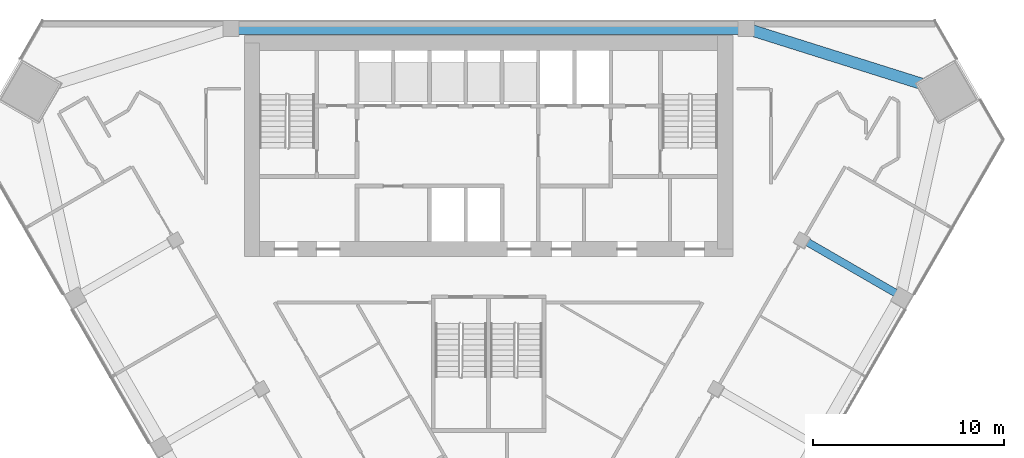
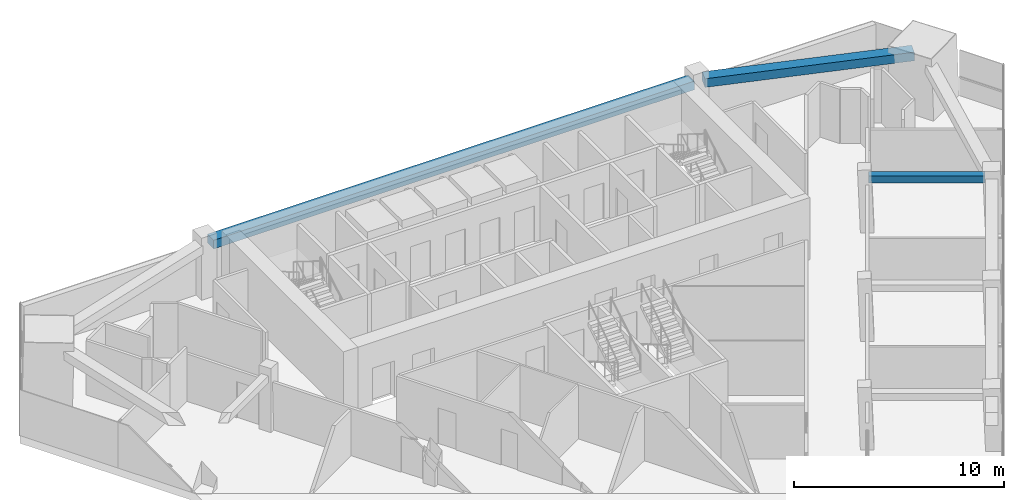
# One storey, part 6 of 13: 3 beams.
"""IFC4 building model written with IfcOpenShell, lengths in metres."""

from ifc_helpers import new_model, si_unit, direction, frame, origin, origin_2d, place, context, subcontext, project, spatial, rectangle, extrude, material, material_profile, profile_set, type_object, element, save


model = new_model("IFC4")

# Units and contexts
model_context = context("Model", 3, precision=1e-05, world=origin(), true_north=direction((0.0, 1.0)))
body_context = subcontext(model_context, "Body", "Model", "MODEL_VIEW")
ifc_project = project(units=[si_unit("LENGTHUNIT", "METRE"), si_unit("AREAUNIT", "SQUARE_METRE"), si_unit("VOLUMEUNIT", "CUBIC_METRE"), si_unit("PLANEANGLEUNIT", "RADIAN"), si_unit("MASSUNIT", "GRAM", prefix="KILO")], contexts=[model_context])

# Site, building, storey
site_placement = place(None, origin())
site = spatial("IfcSite", under=ifc_project, at=site_placement, CompositionType="ELEMENT")
building_placement = place(site_placement, origin())
building = spatial("IfcBuilding", under=site, at=building_placement, Name="Altiplano Prism Tower", CompositionType="ELEMENT")
storey_placement = place(building_placement, frame((0.0, 0.0, 156.60009765625)))
storey = spatial("IfcBuildingStorey", under=building, at=storey_placement, Name="L40", CompositionType="ELEMENT", Elevation=156.60009765625)

# Beams
ifc_material = material(Name="Concrete C60/75", Category="concrete")
ifc_material_profile_1 = material_profile(ifc_material, rectangle(XDim=0.60009765625, YDim=0.5, at=origin_2d()), Name="Edge beam 600x500")
ifc_profile_set_1 = profile_set([ifc_material_profile_1], Name="Concrete C60/75")
beam_type_1 = type_object("IfcBeamType", Name="Edge beam 600x500", PredefinedType="SPANDREL", material=ifc_profile_set_1)
beam_1_placement = place(storey_placement, frame((108.53466796875, 101.38818359375, 2.89990234375), z_axis=(-0.953774281983, 0.30052390758, 0.0), x_axis=(-0.30052390758, -0.953774281983, 0.0)))
element("IfcBeam", 1, at=beam_1_placement, inside=storey, type_object=beam_type_1, Name="Edge beam M2-P01 L41", PredefinedType="SPANDREL", context=body_context, shape_type="SweptSolid", body=[
    extrude(rectangle(XDim=0.60009765625, YDim=0.5, at=origin_2d()), origin(), (0.0, 0.0, 1.0), 10.1953125),
])
beam_2_placement = place(storey_placement, frame((98.195068359375, 104.550048828125, 2.89990234375), z_axis=(-1.0, 0.0, 0.0), x_axis=(0.0, -1.0, 0.0)))
element("IfcBeam", 2, at=beam_2_placement, inside=storey, type_object=beam_type_1, Name="Edge beam P01-P04 L41", PredefinedType="SPANDREL", context=body_context, shape_type="SweptSolid", body=[
    extrude(rectangle(XDim=0.60009765625, YDim=0.5, at=origin_2d()), origin(), (0.0, 0.0, 1.0), 26.39013671875),
])
ifc_material_profile_2 = material_profile(ifc_material, rectangle(XDim=0.39990234375, YDim=0.39990234375, at=origin_2d()), Name="Tie beam 400x400")
ifc_profile_set_2 = profile_set([ifc_material_profile_2], Name="Concrete C60/75")
beam_type_2 = type_object("IfcBeamType", Name="Tie beam 400x400", PredefinedType="BEAM", material=ifc_profile_set_2)
beam_3_placement = place(storey_placement, frame((101.525390625, 93.465087890625, 2.949951171875), z_axis=(0.866016055733, -0.50001619095, 0.0), x_axis=(0.50001619095, 0.866016055733, 0.0)))
element("IfcBeam", 3, at=beam_3_placement, inside=storey, type_object=beam_type_2, Name="Tie beam I24 L41", PredefinedType="BEAM", context=body_context, shape_type="SweptSolid", body=[
    extrude(rectangle(XDim=0.39990234375, YDim=0.39990234375, at=origin_2d()), origin(), (0.0, 0.0, 1.0), 5.539794921875),
])

save(model, "model.ifc")
